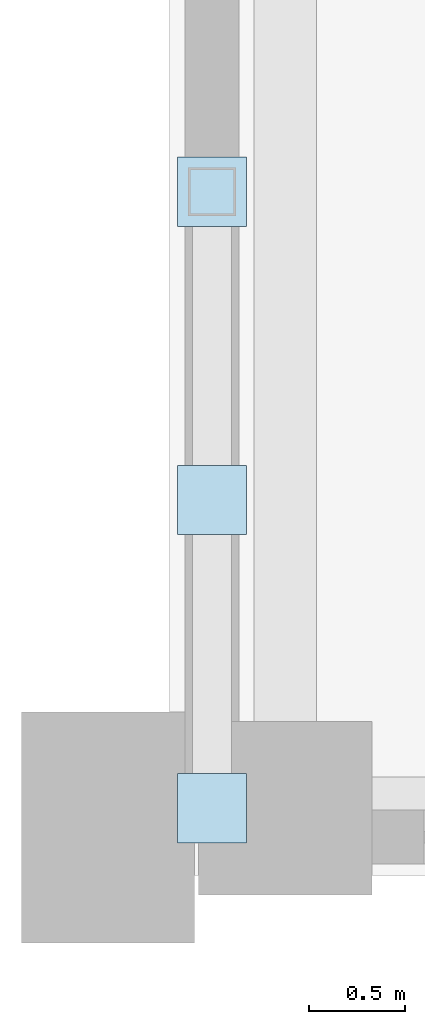
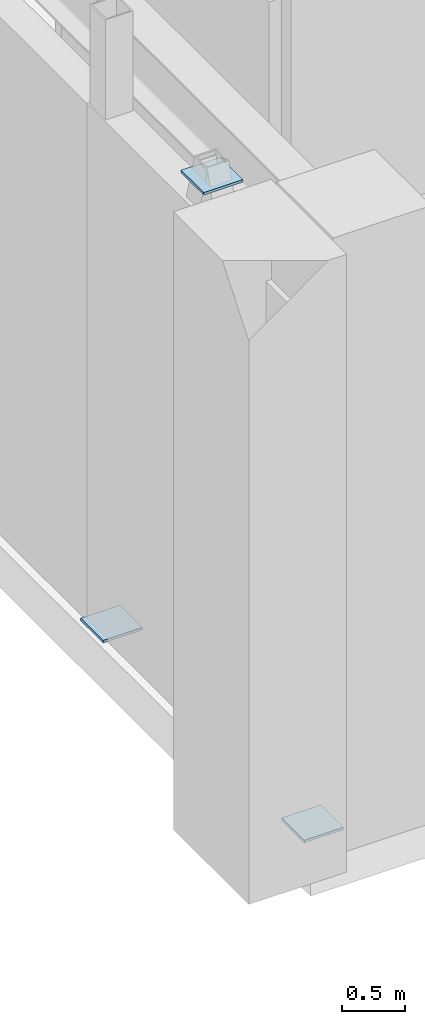
# One storey, part 99 of 143: 3 plates.
"""IFC4 building model written with IfcOpenShell, lengths in metres."""

from ifc_helpers import new_model, si_unit, derived_unit, direction, frame, origin, origin_2d, place, context, subcontext, project, spatial, rectangle, extrude, material, layer, layer_set, type_object, element, save


model = new_model("IFC4")

# Units and contexts
model_context = context("Model", 3, precision=1e-05, world=origin(), true_north=direction((0.0, 1.0)))
body_context = subcontext(model_context, "Body", "Model", "MODEL_VIEW")
ifc_project = project(units=[si_unit("LENGTHUNIT", "METRE"), si_unit("AREAUNIT", "SQUARE_METRE"), si_unit("VOLUMEUNIT", "CUBIC_METRE"), si_unit("PLANEANGLEUNIT", "RADIAN"), si_unit("MASSUNIT", "GRAM", prefix="KILO"), derived_unit("THERMALTRANSMITTANCEUNIT", [(si_unit("MASSUNIT", "GRAM", prefix="KILO"), 1), (si_unit("TIMEUNIT", "SECOND"), -3), (si_unit("THERMODYNAMICTEMPERATUREUNIT", "KELVIN"), -1)])], contexts=[model_context])

# Site, building, storey
site_placement = place(None, origin())
site = spatial("IfcSite", under=ifc_project, at=site_placement, CompositionType="ELEMENT")
building_placement = place(site_placement, origin())
building = spatial("IfcBuilding", under=site, at=building_placement, Name="Valcora Ridge Arena", CompositionType="ELEMENT")
storey_placement = place(building_placement, origin())
storey = spatial("IfcBuildingStorey", under=building, at=storey_placement, Name="L00", CompositionType="ELEMENT", Elevation=0.0)

# Plates
ifc_material = material(Name="Steel ASTM A572 Grade 50", Category="steel")
ifc_layer = layer(ifc_material, 0.02490234375, Name="Steel ASTM A572 Grade 50")
ifc_layer_set = layer_set([ifc_layer], Name="Steel ASTM A572 Grade 50")
plate_type = type_object("IfcPlateType", Name="TY-PLATE-PL-GUS-25", PredefinedType="USERDEFINED", material=ifc_layer_set)
for number, where, z_axis, x_axis, name in (
    (1, (24.219970703125, 108.699951171875, 0.0), (0.0, 0.0, 1.0), (1.0, 0.0, 0.0), "PL-GUS-25 BR-GP-0019"),
    (2, (24.219970703125, 111.89990234375, 0.0), (0.0, 0.0, 1.0), (1.0, 0.0, 0.0), "PL-GUS-25 BR-GP-0020"),
    (3, (24.219970703125, 110.300048828125, 5.320068359375), (0.0, 0.0, 1.0), (1.0, 0.0, 0.0), "PL-GUS-25 BR-GP-0021"),
):
    element("IfcPlate", number, at=place(storey_placement, frame(where, z_axis=z_axis, x_axis=x_axis)), inside=storey, type_object=plate_type, Name=name, ObjectType="GUSSET_PLATE", PredefinedType="USERDEFINED", context=body_context, shape_type="SweptSolid", body=[
        extrude(rectangle(XDim=0.360107421875, YDim=0.360107421875, at=origin_2d()), origin(), (0.0, 0.0, 1.0), 0.02490234375),
    ])

save(model, "model.ifc")
